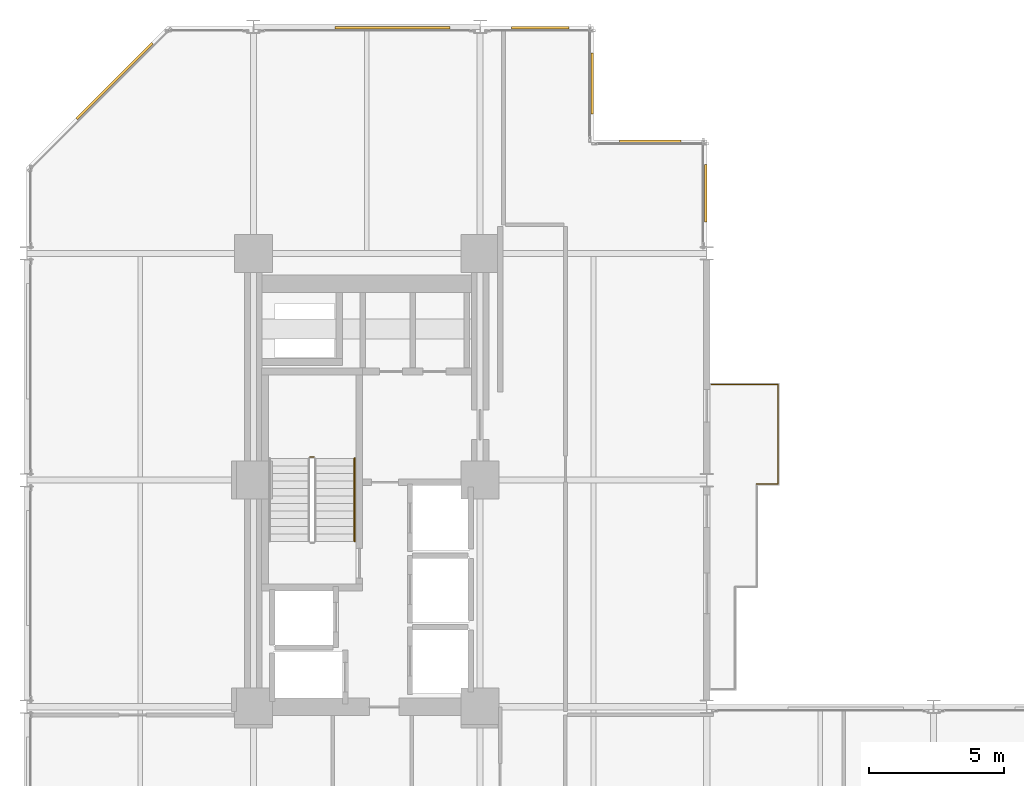
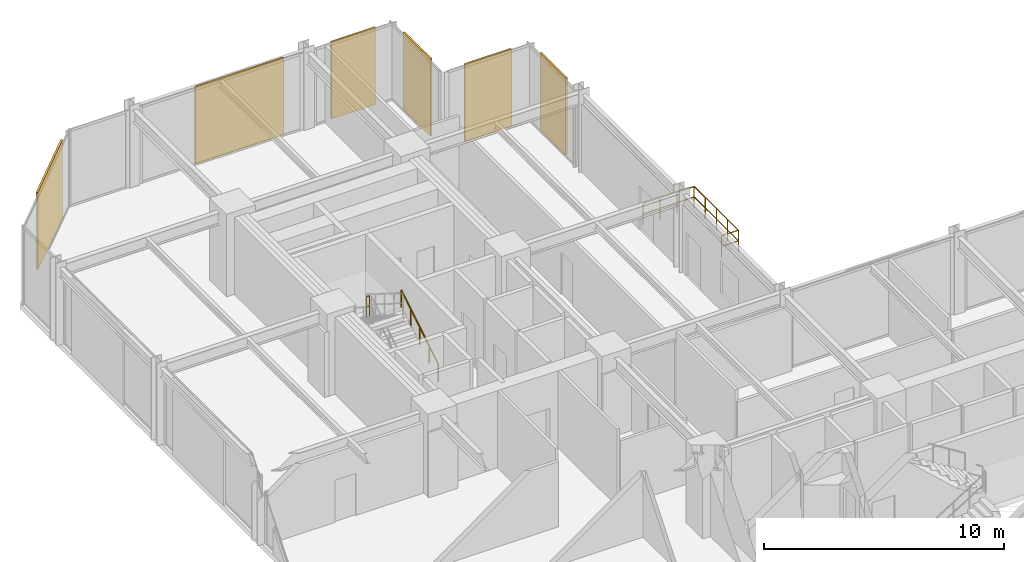
# One storey, part 24 of 24: 6 coverings, 5 railings.
"""IFC4 building model written with IfcOpenShell, lengths in metres."""

from ifc_helpers import new_model, si_unit, direction, frame, origin, origin_2d, place, context, subcontext, project, spatial, rectangle, circle, extrude, material, layer, layer_set, type_object, element, save


model = new_model("IFC4")

# Units and contexts
model_context = context("Model", 3, precision=1e-05, world=origin(), true_north=direction((0.0, 1.0)))
body_context = subcontext(model_context, "Body", "Model", "MODEL_VIEW")
ifc_project = project(units=[si_unit("LENGTHUNIT", "METRE"), si_unit("AREAUNIT", "SQUARE_METRE"), si_unit("VOLUMEUNIT", "CUBIC_METRE"), si_unit("PLANEANGLEUNIT", "RADIAN"), si_unit("MASSUNIT", "GRAM", prefix="KILO")], contexts=[model_context])

# Site, building, storey
site_placement = place(None, origin())
site = spatial("IfcSite", under=ifc_project, at=site_placement, CompositionType="ELEMENT")
building_placement = place(site_placement, origin())
building = spatial("IfcBuilding", under=site, at=building_placement, Name="Nerrivon Quay Data Exchange", CompositionType="ELEMENT")
storey_placement = place(building_placement, frame((0.0, 0.0, 45.800048828125)))
storey = spatial("IfcBuildingStorey", under=building, at=storey_placement, Name="L10", CompositionType="ELEMENT", Elevation=45.800048828125)

# Coverings
ifc_material_1 = material(Name="Architectural terracotta ceramic", Category="masonry")
ifc_layer = layer(ifc_material_1, 0.090087890625)
ifc_layer_set = layer_set([ifc_layer], Name="Architectural terracotta ceramic")
covering_type = type_object("IfcCoveringType", Name="COV-SCR-TERR", PredefinedType="CLADDING", material=ifc_layer_set)
covering_1_placement = place(storey_placement, frame((3.255859375, 48.39208984375, 0.0), z_axis=(0.0, 0.0, 1.0), x_axis=(0.707106781187, 0.707106781187, 0.0)))
element("IfcCovering", 1, at=covering_1_placement, inside=storey, type_object=covering_type, Name="L10 Perforated Terracotta SOLAR SCREEN Cassette", PredefinedType="CLADDING", context=body_context, shape_type="SweptSolid", body=[
    extrude(rectangle(XDim=3.970947265625, YDim=0.090087890625, at=origin_2d()), origin(), (0.0, 0.0, 1.0), 3.925048828125),
])
covering_2_placement = place(storey_placement, frame((13.548095703125, 50.35498046875, 0.0), z_axis=(0.0, 0.0, 1.0), x_axis=(1.0, 0.0, 0.0)))
element("IfcCovering", 2, at=covering_2_placement, inside=storey, type_object=covering_type, Name="L10 Perforated Terracotta SOLAR SCREEN Cassette", PredefinedType="CLADDING", context=body_context, shape_type="SweptSolid", body=[
    extrude(rectangle(XDim=4.26611328125, YDim=0.090087890625, at=origin_2d()), origin(), (0.0, 0.0, 1.0), 3.925048828125),
])
covering_3_placement = place(storey_placement, frame((19.02490234375, 50.35498046875, 0.0), z_axis=(0.0, 0.0, 1.0), x_axis=(1.0, 0.0, 0.0)))
element("IfcCovering", 3, at=covering_3_placement, inside=storey, type_object=covering_type, Name="L10 Perforated Terracotta SOLAR SCREEN Cassette", PredefinedType="CLADDING", context=body_context, shape_type="SweptSolid", body=[
    extrude(rectangle(XDim=2.133056640625, YDim=0.090087890625, at=origin_2d()), origin(), (0.0, 0.0, 1.0), 3.925048828125),
])
for number, where, z_axis, x_axis, name in (
    (4, (20.955078125, 48.300048828125, 0.0), (0.0, 0.0, 1.0), (0.0, -1.0, 0.0), "L10 Perforated Terracotta SOLAR SCREEN Cassette"),
    (5, (23.10009765625, 46.155029296875, 0.0), (0.0, 0.0, 1.0), (1.0, 0.0, 0.0), "L10 Perforated Terracotta SOLAR SCREEN Cassette"),
):
    element("IfcCovering", number, at=place(storey_placement, frame(where, z_axis=z_axis, x_axis=x_axis)), inside=storey, type_object=covering_type, Name=name, PredefinedType="CLADDING", context=body_context, shape_type="SweptSolid", body=[
        extrude(rectangle(XDim=2.26806640625, YDim=0.090087890625, at=origin_2d()), origin(), (0.0, 0.0, 1.0), 3.925048828125),
    ])
covering_4_placement = place(storey_placement, frame((25.155029296875, 44.22509765625, 0.0), z_axis=(0.0, 0.0, 1.0), x_axis=(0.0, -1.0, 0.0)))
element("IfcCovering", 6, at=covering_4_placement, inside=storey, type_object=covering_type, Name="L10 Perforated Terracotta SOLAR SCREEN Cassette", PredefinedType="CLADDING", context=body_context, shape_type="SweptSolid", body=[
    extrude(rectangle(XDim=2.133056640625, YDim=0.090087890625, at=origin_2d()), origin(), (0.0, 0.0, 1.0), 3.925048828125),
])

# Railings
ifc_material_2 = material(Name="Steel Grade C350L0 (350 MPa)", Category="steel")
railing_type_1 = type_object("IfcRailingType", Name="RAIL-GUARD-GR2", PredefinedType="BALUSTRADE", material=ifc_material_2)
railing_1_placement = place(storey_placement, frame((25.3798828125, 37.139892578125, 0.0)))
element("IfcRailing", 7, at=railing_1_placement, inside=storey, type_object=railing_type_1, Name="L10 Verandah Balcony Guard 1.3 1", PredefinedType="BALUSTRADE", context=body_context, shape_type="SweptSolid", body=[
    extrude(circle(Radius=0.02392578125, at=origin_2d()), frame((0.0, 0.0, 1.09619140625), z_axis=(1.0, 0.0, 0.0), x_axis=(0.0, 1.0, 0.0)), (0.0, 0.0, 1.0), 2.460205078125),
    extrude(circle(Radius=0.02392578125, at=origin_2d()), frame((0.0, 0.0, 0.56005859375), z_axis=(1.0, 0.0, 0.0), x_axis=(0.0, 1.0, 0.0)), (0.0, 0.0, 1.0), 2.460205078125),
    extrude(circle(Radius=0.02099609375, at=origin_2d()), origin(), (0.0, 0.0, 1.0), 1.072021484375),
    extrude(circle(Radius=0.02099609375, at=origin_2d()), frame((0.820068359375, 0.0, 0.0)), (0.0, 0.0, 1.0), 1.072021484375),
    extrude(circle(Radius=0.02099609375, at=origin_2d()), frame((1.64013671875, 0.0, 0.0)), (0.0, 0.0, 1.0), 1.072021484375),
    extrude(circle(Radius=0.02099609375, at=origin_2d()), frame((2.460205078125, 0.0, 0.0)), (0.0, 0.0, 1.0), 1.072021484375),
])
railing_2_placement = place(storey_placement, frame((27.840087890625, 37.139892578125, 0.0)))
element("IfcRailing", 8, at=railing_2_placement, inside=storey, type_object=railing_type_1, Name="L10 Verandah Balcony Guard 1.4 1", PredefinedType="BALUSTRADE", context=body_context, shape_type="SweptSolid", body=[
    extrude(circle(Radius=0.02392578125, at=origin_2d()), frame((0.0, 0.0, 1.09619140625), z_axis=(0.0, -1.0, 0.0), x_axis=(1.0, 0.0, 0.0)), (0.0, 0.0, 1.0), 3.679931640625),
    extrude(circle(Radius=0.02392578125, at=origin_2d()), frame((0.0, 0.0, 0.56005859375), z_axis=(0.0, -1.0, 0.0), x_axis=(1.0, 0.0, 0.0)), (0.0, 0.0, 1.0), 3.679931640625),
    extrude(circle(Radius=0.02099609375, at=origin_2d()), origin(), (0.0, 0.0, 1.0), 1.072021484375),
    extrude(circle(Radius=0.02099609375, at=origin_2d()), frame((0.0, -0.919921875, 0.0)), (0.0, 0.0, 1.0), 1.072021484375),
    extrude(circle(Radius=0.02099609375, at=origin_2d()), frame((0.0, -1.83984375, 0.0)), (0.0, 0.0, 1.0), 1.072021484375),
    extrude(circle(Radius=0.02099609375, at=origin_2d()), frame((0.0, -2.760009765625, 0.0)), (0.0, 0.0, 1.0), 1.072021484375),
    extrude(circle(Radius=0.02099609375, at=origin_2d()), frame((0.0, -3.679931640625, 0.0)), (0.0, 0.0, 1.0), 1.072021484375),
])
railing_3_placement = place(storey_placement, frame((27.840087890625, 33.4599609375, 0.0)))
element("IfcRailing", 9, at=railing_3_placement, inside=storey, type_object=railing_type_1, Name="L10 Verandah Balcony Guard 1.5 1", PredefinedType="BALUSTRADE", context=body_context, shape_type="SweptSolid", body=[
    extrude(circle(Radius=0.02392578125, at=origin_2d()), frame((0.0, 0.0, 1.09619140625), z_axis=(-1.0, 0.0, 0.0), x_axis=(0.0, -1.0, 0.0)), (0.0, 0.0, 1.0), 0.800048828125),
    extrude(circle(Radius=0.02392578125, at=origin_2d()), frame((0.0, 0.0, 0.56005859375), z_axis=(-1.0, 0.0, 0.0), x_axis=(0.0, -1.0, 0.0)), (0.0, 0.0, 1.0), 0.800048828125),
    extrude(circle(Radius=0.02099609375, at=origin_2d()), origin(), (0.0, 0.0, 1.0), 1.072021484375),
    extrude(circle(Radius=0.02099609375, at=origin_2d()), frame((-0.800048828125, 0.0, 0.0)), (0.0, 0.0, 1.0), 1.072021484375),
])
railing_type_2 = type_object("IfcRailingType", Name="RAIL-HAND-HR1", PredefinedType="HANDRAIL", material=ifc_material_2)
railing_4_placement = place(storey_placement, frame((12.14990234375, 31.330078125, 0.175048828125)))
element("IfcRailing", 10, at=railing_4_placement, inside=storey, type_object=railing_type_2, Name="L10 ST01 stair handrail 1", PredefinedType="HANDRAIL", context=body_context, shape_type="SweptSolid", body=[
    extrude(circle(Radius=0.02392578125, at=origin_2d()), frame((0.0, 0.0, 0.8759765625), z_axis=(0.0, 0.848009633417, 0.529980812513), x_axis=(-1.0, 0.0, 0.0)), (0.0, 0.0, 1.0), 3.6318359375),
    extrude(circle(Radius=0.02099609375, at=origin_2d()), origin(), (0.0, 0.0, 1.0), 0.851806640625),
    extrude(circle(Radius=0.02099609375, at=origin_2d()), frame((0.0, 0.77001953125, 0.481201171875)), (0.0, 0.0, 1.0), 0.851806640625),
    extrude(circle(Radius=0.02099609375, at=origin_2d()), frame((0.0, 1.5400390625, 0.96240234375)), (0.0, 0.0, 1.0), 0.851806640625),
    extrude(circle(Radius=0.02099609375, at=origin_2d()), frame((0.0, 2.309814453125, 1.443603515625)), (0.0, 0.0, 1.0), 0.851806640625),
    extrude(circle(Radius=0.02099609375, at=origin_2d()), frame((0.0, 3.079833984375, 1.9248046875)), (0.0, 0.0, 1.0), 0.851806640625),
])
railing_type_3 = type_object("IfcRailingType", Name="RAIL-STAIR-GR1", PredefinedType="BALUSTRADE", material=ifc_material_2)
railing_5_placement = place(storey_placement, frame((10.64990234375, 34.4599609375, 2.099853515625)))
element("IfcRailing", 11, at=railing_5_placement, inside=storey, type_object=railing_type_3, Name="L10 ST01 stair guard 2", PredefinedType="BALUSTRADE", context=body_context, shape_type="SweptSolid", body=[
    extrude(circle(Radius=0.02392578125, at=origin_2d()), frame((0.0, 0.0, 1.076171875), z_axis=(-1.0, 0.0, 0.0), x_axis=(0.0, -1.0, 0.0)), (0.0, 0.0, 1.0), 0.14990234375),
    extrude(circle(Radius=0.02392578125, at=origin_2d()), frame((0.0, 0.0, 0.550048828125), z_axis=(-1.0, 0.0, 0.0), x_axis=(0.0, -1.0, 0.0)), (0.0, 0.0, 1.0), 0.14990234375),
    extrude(circle(Radius=0.02099609375, at=origin_2d()), origin(), (0.0, 0.0, 1.0), 1.052001953125),
    extrude(circle(Radius=0.02099609375, at=origin_2d()), frame((-0.14990234375, 0.0, 0.0)), (0.0, 0.0, 1.0), 1.052001953125),
])

save(model, "model.ifc")
